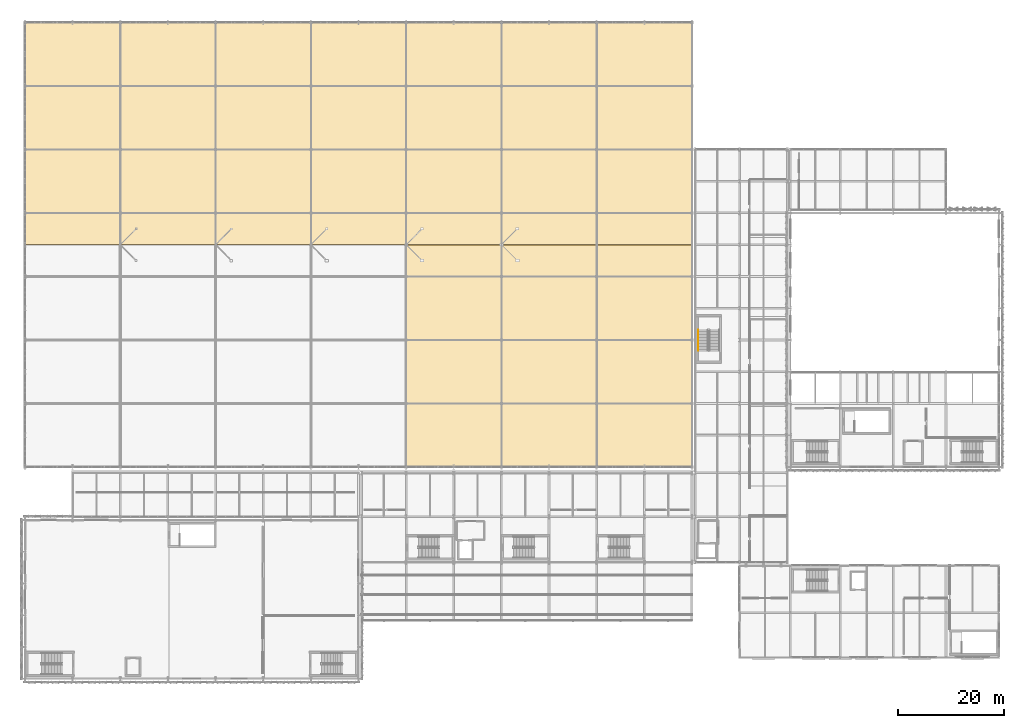
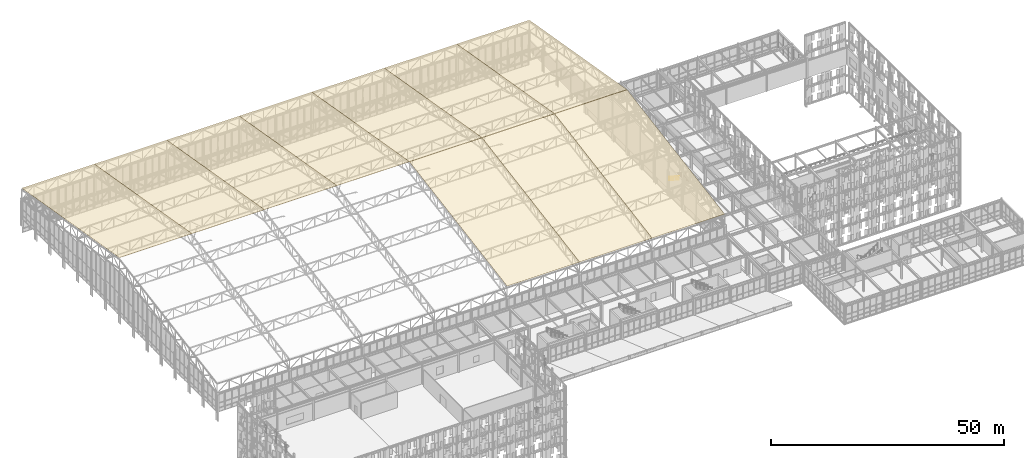
# One storey, part 225 of 239: 10 coverings, 1 railing.
"""IFC4 building model written with IfcOpenShell, lengths in metres."""

from ifc_helpers import new_model, si_unit, direction, frame, origin, origin_2d, place, context, subcontext, project, spatial, polyline, circle, outline, extrude, material, layer, layer_set, type_object, element, save


model = new_model("IFC4")

# Units and contexts
model_context = context("Model", 3, precision=1e-05, world=origin(), true_north=direction((0.0, 1.0)))
body_context = subcontext(model_context, "Body", "Model", "MODEL_VIEW")
ifc_project = project(units=[si_unit("LENGTHUNIT", "METRE"), si_unit("AREAUNIT", "SQUARE_METRE"), si_unit("VOLUMEUNIT", "CUBIC_METRE"), si_unit("PLANEANGLEUNIT", "RADIAN"), si_unit("MASSUNIT", "GRAM", prefix="KILO")], contexts=[model_context])

# Site, building, storey
site_placement = place(None, origin())
site = spatial("IfcSite", under=ifc_project, at=site_placement, CompositionType="ELEMENT")
building_placement = place(site_placement, origin())
building = spatial("IfcBuilding", under=site, at=building_placement, Name="Kaldris Quays Convention Centre", CompositionType="ELEMENT")
storey_placement = place(building_placement, frame((0.0, 0.0, 11.39990234375)))
storey = spatial("IfcBuildingStorey", under=building, at=storey_placement, Name="L02", CompositionType="ELEMENT", Elevation=11.39990234375)

# Coverings
ifc_material_1 = material(Name="Alabaster white star-pierced anodized aluminium panel", Category="aluminium")
ifc_layer = layer(ifc_material_1, 0.054931640625)
ifc_layer_set = layer_set([ifc_layer], Name="Alabaster white star-pierced anodized aluminium panel")
covering_type = type_object("IfcCoveringType", Name="ALABASTER WHITE STANDING SEAM ROOF SRF1", PredefinedType="ROOFING", material=ifc_layer_set)
for number, where, z_axis, x_axis, name in (
    (1, (92.0, 56.0, 10.104736328125), (0.0, -0.168959837226, 0.985622936728), (1.0, 0.0, 0.0), "Hall Alabaster White Standing-Seam Roof Panel 5"),
    (2, (110.0, 56.0, 10.104736328125), (0.0, -0.168959837226, 0.985622936728), (1.0, 0.0, 0.0), "Hall Alabaster White Standing-Seam Roof Panel 6"),
    (3, (128.0, 56.0, 10.104736328125), (0.0, -0.168959837226, 0.985622936728), (1.0, 0.0, 0.0), "Hall Alabaster White Standing-Seam Roof Panel 7"),
    (4, (20.0, 98.02490234375, 17.30029296875), (0.0, 0.168959837226, 0.985622936728), (1.0, 0.0, 0.0), "Hall Alabaster White Standing-Seam Roof Panel 8"),
    (5, (38.0, 98.02490234375, 17.30029296875), (0.0, 0.168959837226, 0.985622936728), (1.0, 0.0, 0.0), "Hall Alabaster White Standing-Seam Roof Panel 9"),
    (6, (56.0, 98.02490234375, 17.30029296875), (0.0, 0.168959837226, 0.985622936728), (1.0, 0.0, 0.0), "Hall Alabaster White Standing-Seam Roof Panel 10"),
    (7, (74.0, 98.02490234375, 17.30029296875), (0.0, 0.168959837226, 0.985622936728), (1.0, 0.0, 0.0), "Hall Alabaster White Standing-Seam Roof Panel 11"),
    (8, (92.0, 98.02490234375, 17.30029296875), (0.0, 0.168959837226, 0.985622936728), (1.0, 0.0, 0.0), "Hall Alabaster White Standing-Seam Roof Panel 12"),
    (9, (110.0, 98.02490234375, 17.30029296875), (0.0, 0.168959837226, 0.985622936728), (1.0, 0.0, 0.0), "Hall Alabaster White Standing-Seam Roof Panel 13"),
    (10, (128.0, 98.02490234375, 17.30029296875), (0.0, 0.168959837226, 0.985622936728), (1.0, 0.0, 0.0), "Hall Alabaster White Standing-Seam Roof Panel 14"),
):
    element("IfcCovering", number, at=place(storey_placement, frame(where, z_axis=z_axis, x_axis=x_axis)), inside=storey, type_object=covering_type, Name=name, PredefinedType="ROOFING", context=body_context, shape_type="SweptSolid", body=[
        extrude(outline(polyline([(0.0, 0.0), (18.0, 0.0), (18.0, 42.587379100153214), (0.0, 42.587379100153214), (0.0, 0.0)])), origin(), (0.0, 0.0, -1.0), 0.054931640625),
    ])

# Railing
ifc_material_2 = material(Name="Stainless steel 1.4301", Category="steel")
railing_type = type_object("IfcRailingType", Name="STAIR HANDRAIL HR01", PredefinedType="HANDRAIL", material=ifc_material_2)
railing_placement = place(storey_placement, frame((147.199951171875, 81.8701171875, 2.880126953125)))
element("IfcRailing", 11, at=railing_placement, inside=storey, type_object=railing_type, Name="L02 ST14 Flight Handrail 2", PredefinedType="HANDRAIL", context=body_context, shape_type="SweptSolid", body=[
    extrude(circle(Radius=0.02392578125, at=origin_2d()), frame((0.0, 0.0, 0.8759765625), z_axis=(0.0, -0.841186985886, 0.540744352514), x_axis=(1.0, 0.0, 0.0)), (0.0, 0.0, 1.0), 4.660400390625),
    extrude(circle(Radius=0.02099609375, at=origin_2d()), origin(), (0.0, 0.0, 1.0), 0.851806640625),
    extrude(circle(Radius=0.02099609375, at=origin_2d()), frame((0.0, -0.97998046875, 0.6298828125)), (0.0, 0.0, 1.0), 0.851806640625),
    extrude(circle(Radius=0.02099609375, at=origin_2d()), frame((0.0, -1.9599609375, 1.260009765625)), (0.0, 0.0, 1.0), 0.851806640625),
    extrude(circle(Radius=0.02099609375, at=origin_2d()), frame((0.0, -2.940185546875, 1.89013671875)), (0.0, 0.0, 1.0), 0.851806640625),
    extrude(circle(Radius=0.02099609375, at=origin_2d()), frame((0.0, -3.920166015625, 2.52001953125)), (0.0, 0.0, 1.0), 0.851806640625),
])

save(model, "model.ifc")
